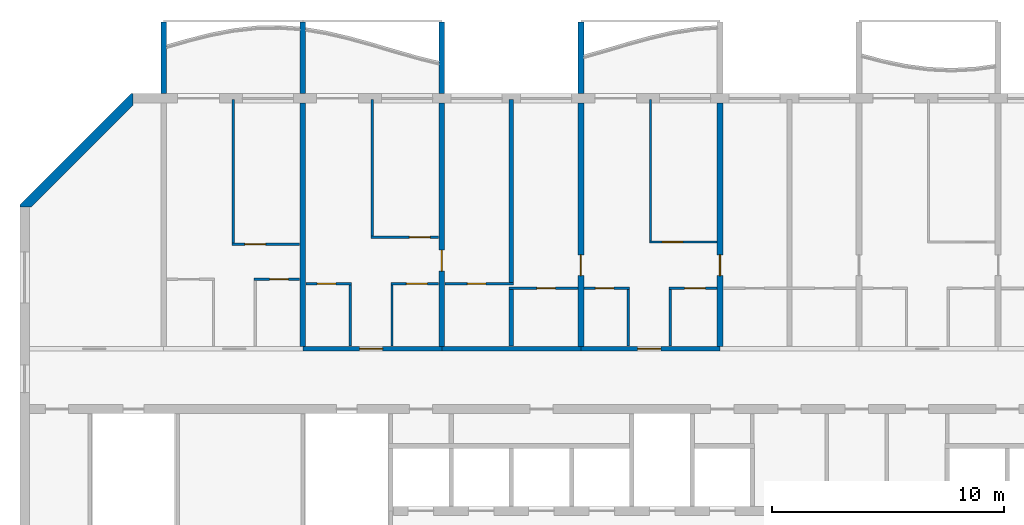
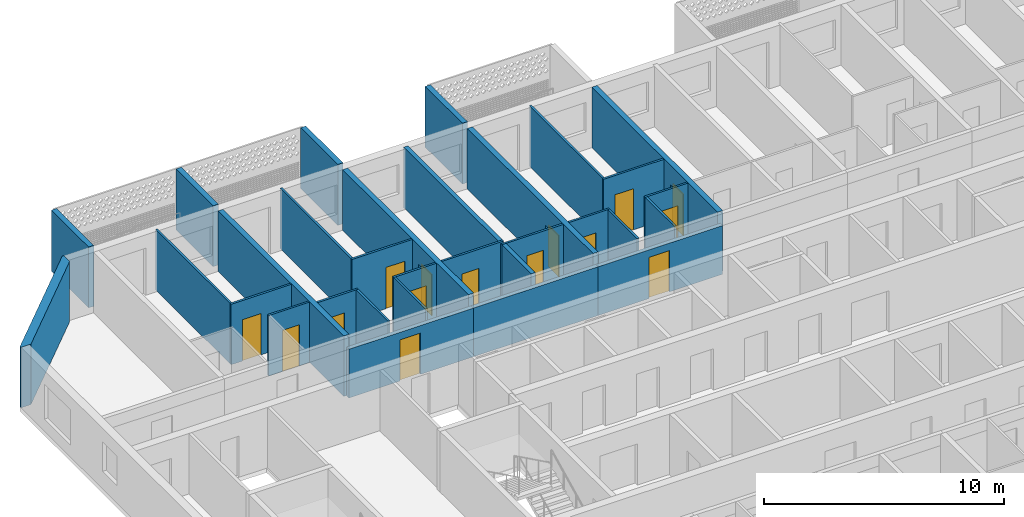
# One storey, part 8 of 27: 31 walls, 15 doors, 15 openings.
"""IFC4 building model written with IfcOpenShell, lengths in metres."""

from ifc_helpers import new_model, si_unit, direction, frame, frame_2d, origin, place, context, subcontext, project, spatial, polyline, rectangle, outline, extrude, source, transform, mapped, material, layer, layer_set, type_object, element, fill, save


model = new_model("IFC4")

# Units and contexts
model_context = context("Model", 3, precision=1e-05, world=origin(), true_north=direction((0.0, 1.0)))
body_context = subcontext(model_context, "Body", "Model", "MODEL_VIEW")
ifc_project = project(units=[si_unit("LENGTHUNIT", "METRE"), si_unit("AREAUNIT", "SQUARE_METRE"), si_unit("VOLUMEUNIT", "CUBIC_METRE"), si_unit("PLANEANGLEUNIT", "RADIAN"), si_unit("MASSUNIT", "GRAM", prefix="KILO")], contexts=[model_context])

# Site, building, storey
site_placement = place(None, origin())
site = spatial("IfcSite", under=ifc_project, at=site_placement, CompositionType="ELEMENT")
building_placement = place(site_placement, origin())
building = spatial("IfcBuilding", under=site, at=building_placement, Name="Poui Terraces", CompositionType="ELEMENT")
storey_placement = place(building_placement, frame((0.0, 0.0, 198.300048828125)))
storey = spatial("IfcBuildingStorey", under=building, at=storey_placement, Name="L55", CompositionType="ELEMENT", Elevation=198.300048828125)

# Wall, opening, door
ifc_material_1 = material(Name="Concrete 50 MPa", Category="concrete")
ifc_layer_1 = layer(ifc_material_1, 0.199951171875)
ifc_layer_set_1 = layer_set([ifc_layer_1], Name="Concrete 50 MPa")
wall_type_1 = type_object("IfcWallType", Name="CORRIDOR WALL 200 50MPa", PredefinedType="SHEAR", material=ifc_layer_set_1)
wall_1_placement = place(storey_placement, frame((30.0, 30.39990234375, 0.0), z_axis=(0.0, 0.0, 1.0), x_axis=(1.0, 0.0, 0.0)))
wall_1 = element("IfcWall", 1, at=wall_1_placement, inside=storey, type_object=wall_type_1, Name="CORRIDOR WALL LINE E BAY 3", PredefinedType="SHEAR", context=body_context, shape_type="SweptSolid", body=[
    extrude(rectangle(XDim=6.0, YDim=0.199951171875, at=frame_2d((3.0, 0.0))), origin(), (0.0, 0.0, 1.0), 2.47998046875),
])
opening_1_placement = place(wall_1_placement, frame((2.449951171875, 0.0, 0.0)))
opening_1 = element("IfcOpeningElement", 2, at=opening_1_placement, cuts=wall_1, Name="Opening FD30S", PredefinedType="OPENING", context=body_context, shape_type="SweptSolid", body=[
    extrude(rectangle(XDim=1.0, YDim=2.10009765625, at=frame_2d((0.5, 1.050048828125))), frame((0.0, 0.10986328125, 0.0), z_axis=(0.0, -1.0, 0.0), x_axis=(1.0, 0.0, 0.0)), (0.0, 0.0, 1.0), 0.219970703125),
])
ifc_material_2 = material(Name="Steel fire door", Category="steel")
door_type_1 = type_object("IfcDoorType", Name="FLAT ENTRANCE DOOR 1000 X 2100", OperationType="NOTDEFINED", PredefinedType="DOOR", material=ifc_material_2)
door_1_placement = place(opening_1_placement, origin())
door_1 = element("IfcDoor", 3, at=door_1_placement, inside=storey, type_object=door_type_1, Name="FLAT ENTRANCE DOOR 034", OperationType="SINGLE_SWING_LEFT", OverallHeight=2.10009765625, OverallWidth=1.0, PredefinedType="DOOR", context=body_context, shape_type="SweptSolid", body=[
    extrude(rectangle(XDim=1.0, YDim=2.10009765625, at=frame_2d((0.5, 1.050048828125))), frame((0.0, 0.02490234375, 0.0), z_axis=(0.0, -1.0, 0.0), x_axis=(1.0, 0.0, 0.0)), (0.0, 0.0, 1.0), 0.050048828125),
])
fill(opening_1, door_1)

# Wall
wall_2_placement = place(storey_placement, frame((36.0, 30.39990234375, 0.0), z_axis=(0.0, 0.0, 1.0), x_axis=(1.0, 0.0, 0.0)))
element("IfcWall", 4, at=wall_2_placement, inside=storey, type_object=wall_type_1, Name="CORRIDOR WALL LINE E BAY 4", PredefinedType="SHEAR", context=body_context, shape_type="SweptSolid", body=[
    extrude(rectangle(XDim=6.0, YDim=0.199951171875, at=frame_2d((3.0, 0.0))), origin(), (0.0, 0.0, 1.0), 2.47998046875),
])

# Wall, opening, door
wall_3_placement = place(storey_placement, frame((42.0, 30.39990234375, 0.0), z_axis=(0.0, 0.0, 1.0), x_axis=(1.0, 0.0, 0.0)))
wall_3 = element("IfcWall", 5, at=wall_3_placement, inside=storey, type_object=wall_type_1, Name="CORRIDOR WALL LINE E BAY 5", PredefinedType="SHEAR", context=body_context, shape_type="SweptSolid", body=[
    extrude(rectangle(XDim=6.0, YDim=0.199951171875, at=frame_2d((3.0, 0.0))), origin(), (0.0, 0.0, 1.0), 2.47998046875),
])
opening_2_placement = place(wall_3_placement, frame((2.449951171875, 0.0, 0.0)))
opening_2 = element("IfcOpeningElement", 6, at=opening_2_placement, cuts=wall_3, Name="Opening FD30S", PredefinedType="OPENING", context=body_context, shape_type="SweptSolid", body=[
    extrude(rectangle(XDim=1.0, YDim=2.10009765625, at=frame_2d((0.5, 1.050048828125))), frame((0.0, 0.10986328125, 0.0), z_axis=(0.0, -1.0, 0.0), x_axis=(1.0, 0.0, 0.0)), (0.0, 0.0, 1.0), 0.219970703125),
])
door_2_placement = place(opening_2_placement, origin())
door_2 = element("IfcDoor", 7, at=door_2_placement, inside=storey, type_object=door_type_1, Name="FLAT ENTRANCE DOOR 042", OperationType="SINGLE_SWING_LEFT", OverallHeight=2.10009765625, OverallWidth=1.0, PredefinedType="DOOR", context=body_context, shape_type="SweptSolid", body=[
    extrude(rectangle(XDim=1.0, YDim=2.10009765625, at=frame_2d((0.5, 1.050048828125))), frame((0.0, 0.02490234375, 0.0), z_axis=(0.0, -1.0, 0.0), x_axis=(1.0, 0.0, 0.0)), (0.0, 0.0, 1.0), 0.050048828125),
])
fill(opening_2, door_2)

# Wall
ifc_layer_2 = layer(ifc_material_1, 0.25)
ifc_layer_set_2 = layer_set([ifc_layer_2], Name="Concrete 50 MPa")
wall_type_2 = type_object("IfcWallType", Name="CROSS WALL 250 50MPa", PredefinedType="SHEAR", material=ifc_layer_set_2)
wall_4_placement = place(storey_placement, frame((30.0, 30.5, 0.0), z_axis=(0.0, 0.0, 1.0), x_axis=(0.0, 1.0, 0.0)))
element("IfcWall", 8, at=wall_4_placement, inside=storey, type_object=wall_type_2, Name="CROSS WALL LINE 6 NORTH", PredefinedType="SHEAR", context=body_context, shape_type="SweptSolid", body=[
    extrude(rectangle(XDim=10.5, YDim=0.25, at=frame_2d((5.25, 0.0))), origin(), (0.0, 0.0, 1.0), 3.079833984375),
])

# Wall, opening, door
wall_5_placement = place(storey_placement, frame((36.0, 30.5, 0.0), z_axis=(0.0, 0.0, 1.0), x_axis=(0.0, 1.0, 0.0)))
wall_5 = element("IfcWall", 9, at=wall_5_placement, inside=storey, type_object=wall_type_2, Name="CROSS WALL LINE 7 NORTH", PredefinedType="SHEAR", context=body_context, shape_type="SweptSolid", body=[
    extrude(rectangle(XDim=10.5, YDim=0.25, at=frame_2d((5.25, 0.0))), origin(), (0.0, 0.0, 1.0), 3.079833984375),
])
opening_3_placement = place(wall_5_placement, frame((3.25, 0.0, 0.0)))
opening_3 = element("IfcOpeningElement", 10, at=opening_3_placement, cuts=wall_5, Name="Opening D90", PredefinedType="OPENING", context=body_context, shape_type="SweptSolid", body=[
    extrude(rectangle(XDim=0.89990234375, YDim=2.10009765625, at=frame_2d((0.449951171875, 1.050048828125))), frame((0.0, 0.135009765625, 0.0), z_axis=(0.0, -1.0, 0.0), x_axis=(1.0, 0.0, 0.0)), (0.0, 0.0, 1.0), 0.27001953125),
])
ifc_material_3 = material(Name="Solid core timber door", Category="wood")
door_type_2 = type_object("IfcDoorType", Name="INTERNAL DOOR 900 X 2100", OperationType="NOTDEFINED", PredefinedType="DOOR", material=ifc_material_3)
door_3_placement = place(opening_3_placement, frame((0.89990234375, 0.0, 0.0), z_axis=(0.0, 0.0, 1.0), x_axis=(-1.0, 0.0, 0.0)))
door_3 = element("IfcDoor", 11, at=door_3_placement, inside=storey, type_object=door_type_2, Name="INTERNAL DOOR 037", OperationType="SINGLE_SWING_RIGHT", OverallHeight=2.10009765625, OverallWidth=0.89990234375, PredefinedType="DOOR", context=body_context, shape_type="SweptSolid", body=[
    extrude(rectangle(XDim=0.89990234375, YDim=2.10009765625, at=frame_2d((0.449951171875, 1.050048828125))), frame((0.0, 0.02490234375, 0.0), z_axis=(0.0, -1.0, 0.0), x_axis=(1.0, 0.0, 0.0)), (0.0, 0.0, 1.0), 0.050048828125),
])
fill(opening_3, door_3)

wall_6_placement = place(storey_placement, frame((42.0, 30.5, 0.0), z_axis=(0.0, 0.0, 1.0), x_axis=(0.0, 1.0, 0.0)))
wall_6 = element("IfcWall", 12, at=wall_6_placement, inside=storey, type_object=wall_type_2, Name="CROSS WALL LINE 8 NORTH", PredefinedType="SHEAR", context=body_context, shape_type="SweptSolid", body=[
    extrude(rectangle(XDim=10.5, YDim=0.25, at=frame_2d((5.25, 0.0))), origin(), (0.0, 0.0, 1.0), 3.079833984375),
])
opening_4_placement = place(wall_6_placement, frame((3.050048828125, 0.0, 0.0)))
opening_4 = element("IfcOpeningElement", 13, at=opening_4_placement, cuts=wall_6, Name="Opening D90", PredefinedType="OPENING", context=body_context, shape_type="SweptSolid", body=[
    extrude(rectangle(XDim=0.89990234375, YDim=2.10009765625, at=frame_2d((0.449951171875, 1.050048828125))), frame((0.0, 0.135009765625, 0.0), z_axis=(0.0, -1.0, 0.0), x_axis=(1.0, 0.0, 0.0)), (0.0, 0.0, 1.0), 0.27001953125),
])
door_4_placement = place(opening_4_placement, origin())
door_4 = element("IfcDoor", 14, at=door_4_placement, inside=storey, type_object=door_type_2, Name="INTERNAL DOOR 040", OperationType="SINGLE_SWING_LEFT", OverallHeight=2.10009765625, OverallWidth=0.89990234375, PredefinedType="DOOR", context=body_context, shape_type="SweptSolid", body=[
    extrude(rectangle(XDim=0.89990234375, YDim=2.10009765625, at=frame_2d((0.449951171875, 1.050048828125))), frame((0.0, 0.02490234375, 0.0), z_axis=(0.0, -1.0, 0.0), x_axis=(1.0, 0.0, 0.0)), (0.0, 0.0, 1.0), 0.050048828125),
])
fill(opening_4, door_4)

wall_7_placement = place(storey_placement, frame((48.0, 30.5, 0.0), z_axis=(0.0, 0.0, 1.0), x_axis=(0.0, 1.0, 0.0)))
wall_7 = element("IfcWall", 15, at=wall_7_placement, inside=storey, type_object=wall_type_2, Name="CROSS WALL LINE 9 NORTH", PredefinedType="SHEAR", context=body_context, shape_type="SweptSolid", body=[
    extrude(rectangle(XDim=10.5, YDim=0.25, at=frame_2d((5.25, 0.0))), origin(), (0.0, 0.0, 1.0), 3.079833984375),
])
opening_5_placement = place(wall_7_placement, frame((3.050048828125, 0.0, 0.0)))
opening_5 = element("IfcOpeningElement", 16, at=opening_5_placement, cuts=wall_7, Name="Opening D90", PredefinedType="OPENING", context=body_context, shape_type="SweptSolid", body=[
    extrude(rectangle(XDim=0.89990234375, YDim=2.10009765625, at=frame_2d((0.449951171875, 1.050048828125))), frame((0.0, 0.135009765625, 0.0), z_axis=(0.0, -1.0, 0.0), x_axis=(1.0, 0.0, 0.0)), (0.0, 0.0, 1.0), 0.27001953125),
])
door_5_placement = place(opening_5_placement, frame((0.89990234375, 0.0, 0.0), z_axis=(0.0, 0.0, 1.0), x_axis=(-1.0, 0.0, 0.0)))
door_5 = element("IfcDoor", 17, at=door_5_placement, inside=storey, type_object=door_type_2, Name="INTERNAL DOOR 045", OperationType="SINGLE_SWING_RIGHT", OverallHeight=2.10009765625, OverallWidth=0.89990234375, PredefinedType="DOOR", context=body_context, shape_type="SweptSolid", body=[
    extrude(rectangle(XDim=0.89990234375, YDim=2.10009765625, at=frame_2d((0.449951171875, 1.050048828125))), frame((0.0, 0.02490234375, 0.0), z_axis=(0.0, -1.0, 0.0), x_axis=(1.0, 0.0, 0.0)), (0.0, 0.0, 1.0), 0.050048828125),
])
fill(opening_5, door_5)

ifc_material_4 = material(Name="Plasterboard partition")
ifc_layer_3 = layer(ifc_material_4, 0.10009765625)
ifc_layer_set_3 = layer_set([ifc_layer_3], Name="Plasterboard partition")
wall_type_3 = type_object("IfcWallType", Name="FLAT PARTITION 100", PredefinedType="PARTITIONING", material=ifc_layer_set_3)
wall_8_placement = place(storey_placement, frame((38.89990234375, 33.0, 0.0), z_axis=(0.0, 0.0, 1.0), x_axis=(1.0, 0.0, 0.0)))
wall_8 = element("IfcWall", 18, at=wall_8_placement, inside=storey, type_object=wall_type_3, Name="FLAT PARTITION 100", PredefinedType="PARTITIONING", context=body_context, shape_type="SweptSolid", body=[
    extrude(rectangle(XDim=2.965087890625, YDim=0.10009765625, at=frame_2d((1.482421875, 0.0))), origin(), (0.0, 0.0, 1.0), 3.079833984375),
])
opening_6_placement = place(wall_8_placement, frame((1.199951171875, 0.0, 0.0)))
opening_6 = element("IfcOpeningElement", 19, at=opening_6_placement, cuts=wall_8, Name="Opening D80", PredefinedType="OPENING", context=body_context, shape_type="SweptSolid", body=[
    extrude(rectangle(XDim=0.800048828125, YDim=2.10009765625, at=frame_2d((0.39990234375, 1.050048828125))), frame((0.0, 0.06005859375, 0.0), z_axis=(0.0, -1.0, 0.0), x_axis=(1.0, 0.0, 0.0)), (0.0, 0.0, 1.0), 0.1201171875),
])
door_type_3 = type_object("IfcDoorType", Name="BATHROOM, LAUNDRY AND STORE DOOR 800 X 2100", OperationType="NOTDEFINED", PredefinedType="DOOR", material=ifc_material_3)
door_6_placement = place(opening_6_placement, frame((0.800048828125, 0.0, 0.0), z_axis=(0.0, 0.0, 1.0), x_axis=(-1.0, 0.0, 0.0)))
door_6 = element("IfcDoor", 20, at=door_6_placement, inside=storey, type_object=door_type_3, Name="BATHROOM, LAUNDRY AND STORE DOOR 038", OperationType="SINGLE_SWING_LEFT", OverallHeight=2.10009765625, OverallWidth=0.800048828125, PredefinedType="DOOR", context=body_context, shape_type="SweptSolid", body=[
    extrude(rectangle(XDim=0.800048828125, YDim=2.10009765625, at=frame_2d((0.39990234375, 1.050048828125))), frame((0.0, 0.02490234375, 0.0), z_axis=(0.0, -1.0, 0.0), x_axis=(1.0, 0.0, 0.0)), (0.0, 0.0, 1.0), 0.050048828125),
])
fill(opening_6, door_6)

wall_9_placement = place(storey_placement, frame((42.135009765625, 33.0, 0.0), z_axis=(0.0, 0.0, 1.0), x_axis=(1.0, 0.0, 0.0)))
wall_9 = element("IfcWall", 21, at=wall_9_placement, inside=storey, type_object=wall_type_3, Name="FLAT PARTITION 100", PredefinedType="PARTITIONING", context=body_context, shape_type="SweptSolid", body=[
    extrude(rectangle(XDim=1.965087890625, YDim=0.10009765625, at=frame_2d((0.982421875, 0.0))), origin(), (0.0, 0.0, 1.0), 3.079833984375),
])
opening_7_placement = place(wall_9_placement, frame((0.489990234375, 0.0, 0.0)))
opening_7 = element("IfcOpeningElement", 22, at=opening_7_placement, cuts=wall_9, Name="Opening D80", PredefinedType="OPENING", context=body_context, shape_type="SweptSolid", body=[
    extrude(rectangle(XDim=0.800048828125, YDim=2.10009765625, at=frame_2d((0.39990234375, 1.050048828125))), frame((0.0, 0.06005859375, 0.0), z_axis=(0.0, -1.0, 0.0), x_axis=(1.0, 0.0, 0.0)), (0.0, 0.0, 1.0), 0.1201171875),
])
door_7_placement = place(opening_7_placement, frame((0.800048828125, 0.0, 0.0), z_axis=(0.0, 0.0, 1.0), x_axis=(-1.0, 0.0, 0.0)))
door_7 = element("IfcDoor", 23, at=door_7_placement, inside=storey, type_object=door_type_3, Name="BATHROOM, LAUNDRY AND STORE DOOR 041", OperationType="SINGLE_SWING_LEFT", OverallHeight=2.10009765625, OverallWidth=0.800048828125, PredefinedType="DOOR", context=body_context, shape_type="SweptSolid", body=[
    extrude(rectangle(XDim=0.800048828125, YDim=2.10009765625, at=frame_2d((0.39990234375, 1.050048828125))), frame((0.0, 0.02490234375, 0.0), z_axis=(0.0, -1.0, 0.0), x_axis=(1.0, 0.0, 0.0)), (0.0, 0.0, 1.0), 0.050048828125),
])
fill(opening_7, door_7)

wall_10_placement = place(storey_placement, frame((45.800048828125, 33.0, 0.0), z_axis=(0.0, 0.0, 1.0), x_axis=(1.0, 0.0, 0.0)))
wall_10 = element("IfcWall", 24, at=wall_10_placement, inside=storey, type_object=wall_type_3, Name="FLAT PARTITION 100", PredefinedType="PARTITIONING", context=body_context, shape_type="SweptSolid", body=[
    extrude(rectangle(XDim=2.06494140625, YDim=0.10009765625, at=frame_2d((1.032470703125, 0.0))), origin(), (0.0, 0.0, 1.0), 3.079833984375),
])
opening_8_placement = place(wall_10_placement, frame((0.675048828125, 0.0, 0.0)))
opening_8 = element("IfcOpeningElement", 25, at=opening_8_placement, cuts=wall_10, Name="Opening D90", PredefinedType="OPENING", context=body_context, shape_type="SweptSolid", body=[
    extrude(rectangle(XDim=0.89990234375, YDim=2.10009765625, at=frame_2d((0.449951171875, 1.050048828125))), frame((0.0, 0.06005859375, 0.0), z_axis=(0.0, -1.0, 0.0), x_axis=(1.0, 0.0, 0.0)), (0.0, 0.0, 1.0), 0.1201171875),
])
door_8_placement = place(opening_8_placement, frame((0.89990234375, 0.0, 0.0), z_axis=(0.0, 0.0, 1.0), x_axis=(-1.0, 0.0, 0.0)))
door_8 = element("IfcDoor", 26, at=door_8_placement, inside=storey, type_object=door_type_2, Name="INTERNAL DOOR 044", OperationType="SINGLE_SWING_RIGHT", OverallHeight=2.10009765625, OverallWidth=0.89990234375, PredefinedType="DOOR", context=body_context, shape_type="SweptSolid", body=[
    extrude(rectangle(XDim=0.89990234375, YDim=2.10009765625, at=frame_2d((0.449951171875, 1.050048828125))), frame((0.0, 0.02490234375, 0.0), z_axis=(0.0, -1.0, 0.0), x_axis=(1.0, 0.0, 0.0)), (0.0, 0.0, 1.0), 0.050048828125),
])
fill(opening_8, door_8)

wall_11_placement = place(storey_placement, frame((30.135009765625, 33.199951171875, 0.0), z_axis=(0.0, 0.0, 1.0), x_axis=(1.0, 0.0, 0.0)))
wall_11 = element("IfcWall", 27, at=wall_11_placement, inside=storey, type_object=wall_type_3, Name="FLAT PARTITION 100", PredefinedType="PARTITIONING", context=body_context, shape_type="SweptSolid", body=[
    extrude(rectangle(XDim=1.965087890625, YDim=0.10009765625, at=frame_2d((0.982421875, 0.0))), origin(), (0.0, 0.0, 1.0), 3.079833984375),
])
opening_9_placement = place(wall_11_placement, frame((0.489990234375, 0.0, 0.0)))
opening_9 = element("IfcOpeningElement", 28, at=opening_9_placement, cuts=wall_11, Name="Opening D80", PredefinedType="OPENING", context=body_context, shape_type="SweptSolid", body=[
    extrude(rectangle(XDim=0.800048828125, YDim=2.10009765625, at=frame_2d((0.39990234375, 1.050048828125))), frame((0.0, 0.06005859375, 0.0), z_axis=(0.0, -1.0, 0.0), x_axis=(1.0, 0.0, 0.0)), (0.0, 0.0, 1.0), 0.1201171875),
])
door_9_placement = place(opening_9_placement, frame((0.800048828125, 0.0, 0.0), z_axis=(0.0, 0.0, 1.0), x_axis=(-1.0, 0.0, 0.0)))
door_9 = element("IfcDoor", 29, at=door_9_placement, inside=storey, type_object=door_type_3, Name="BATHROOM, LAUNDRY AND STORE DOOR 033", OperationType="SINGLE_SWING_RIGHT", OverallHeight=2.10009765625, OverallWidth=0.800048828125, PredefinedType="DOOR", context=body_context, shape_type="SweptSolid", body=[
    extrude(rectangle(XDim=0.800048828125, YDim=2.10009765625, at=frame_2d((0.39990234375, 1.050048828125))), frame((0.0, 0.02490234375, 0.0), z_axis=(0.0, -1.0, 0.0), x_axis=(1.0, 0.0, 0.0)), (0.0, 0.0, 1.0), 0.050048828125),
])
fill(opening_9, door_9)

wall_12_placement = place(storey_placement, frame((33.800048828125, 33.199951171875, 0.0), z_axis=(0.0, 0.0, 1.0), x_axis=(1.0, 0.0, 0.0)))
wall_12 = element("IfcWall", 30, at=wall_12_placement, inside=storey, type_object=wall_type_3, Name="FLAT PARTITION 100", PredefinedType="PARTITIONING", context=body_context, shape_type="SweptSolid", body=[
    extrude(rectangle(XDim=2.06494140625, YDim=0.10009765625, at=frame_2d((1.032470703125, 0.0))), origin(), (0.0, 0.0, 1.0), 3.079833984375),
])
opening_10_placement = place(wall_12_placement, frame((0.675048828125, 0.0, 0.0)))
opening_10 = element("IfcOpeningElement", 31, at=opening_10_placement, cuts=wall_12, Name="Opening D90", PredefinedType="OPENING", context=body_context, shape_type="SweptSolid", body=[
    extrude(rectangle(XDim=0.89990234375, YDim=2.10009765625, at=frame_2d((0.449951171875, 1.050048828125))), frame((0.0, 0.06005859375, 0.0), z_axis=(0.0, -1.0, 0.0), x_axis=(1.0, 0.0, 0.0)), (0.0, 0.0, 1.0), 0.1201171875),
])
door_10_placement = place(opening_10_placement, frame((0.89990234375, 0.0, 0.0), z_axis=(0.0, 0.0, 1.0), x_axis=(-1.0, 0.0, 0.0)))
door_10 = element("IfcDoor", 32, at=door_10_placement, inside=storey, type_object=door_type_2, Name="INTERNAL DOOR 035", OperationType="SINGLE_SWING_LEFT", OverallHeight=2.10009765625, OverallWidth=0.89990234375, PredefinedType="DOOR", context=body_context, shape_type="SweptSolid", body=[
    extrude(rectangle(XDim=0.89990234375, YDim=2.10009765625, at=frame_2d((0.449951171875, 1.050048828125))), frame((0.0, 0.02490234375, 0.0), z_axis=(0.0, -1.0, 0.0), x_axis=(1.0, 0.0, 0.0)), (0.0, 0.0, 1.0), 0.050048828125),
])
fill(opening_10, door_10)

wall_13_placement = place(storey_placement, frame((36.135009765625, 33.199951171875, 0.0), z_axis=(0.0, 0.0, 1.0), x_axis=(1.0, 0.0, 0.0)))
wall_13 = element("IfcWall", 33, at=wall_13_placement, inside=storey, type_object=wall_type_3, Name="FLAT PARTITION 100", PredefinedType="PARTITIONING", context=body_context, shape_type="SweptSolid", body=[
    extrude(rectangle(XDim=2.965087890625, YDim=0.10009765625, at=frame_2d((1.482421875, 0.0))), origin(), (0.0, 0.0, 1.0), 3.079833984375),
])
opening_11_placement = place(wall_13_placement, frame((0.965087890625, 0.0, 0.0)))
opening_11 = element("IfcOpeningElement", 34, at=opening_11_placement, cuts=wall_13, Name="Opening D80", PredefinedType="OPENING", context=body_context, shape_type="SweptSolid", body=[
    extrude(rectangle(XDim=0.800048828125, YDim=2.10009765625, at=frame_2d((0.39990234375, 1.050048828125))), frame((0.0, 0.06005859375, 0.0), z_axis=(0.0, -1.0, 0.0), x_axis=(1.0, 0.0, 0.0)), (0.0, 0.0, 1.0), 0.1201171875),
])
door_11_placement = place(opening_11_placement, frame((0.800048828125, 0.0, 0.0), z_axis=(0.0, 0.0, 1.0), x_axis=(-1.0, 0.0, 0.0)))
door_11 = element("IfcDoor", 35, at=door_11_placement, inside=storey, type_object=door_type_3, Name="BATHROOM, LAUNDRY AND STORE DOOR 032", OperationType="SINGLE_SWING_RIGHT", OverallHeight=2.10009765625, OverallWidth=0.800048828125, PredefinedType="DOOR", context=body_context, shape_type="SweptSolid", body=[
    extrude(rectangle(XDim=0.800048828125, YDim=2.10009765625, at=frame_2d((0.39990234375, 1.050048828125))), frame((0.0, 0.02490234375, 0.0), z_axis=(0.0, -1.0, 0.0), x_axis=(1.0, 0.0, 0.0)), (0.0, 0.0, 1.0), 0.050048828125),
])
fill(opening_11, door_11)

wall_14_placement = place(storey_placement, frame((27.89990234375, 33.39990234375, 0.0), z_axis=(0.0, 0.0, 1.0), x_axis=(1.0, 0.0, 0.0)))
wall_14 = element("IfcWall", 36, at=wall_14_placement, inside=storey, type_object=wall_type_3, Name="FLAT PARTITION 100", PredefinedType="PARTITIONING", context=body_context, shape_type="SweptSolid", body=[
    extrude(rectangle(XDim=1.965087890625, YDim=0.10009765625, at=frame_2d((0.982421875, 0.0))), origin(), (0.0, 0.0, 1.0), 3.079833984375),
])
opening_12_placement = place(wall_14_placement, frame((0.675048828125, 0.0, 0.0)))
opening_12 = element("IfcOpeningElement", 37, at=opening_12_placement, cuts=wall_14, Name="Opening D80", PredefinedType="OPENING", context=body_context, shape_type="SweptSolid", body=[
    extrude(rectangle(XDim=0.800048828125, YDim=2.10009765625, at=frame_2d((0.39990234375, 1.050048828125))), frame((0.0, 0.06005859375, 0.0), z_axis=(0.0, -1.0, 0.0), x_axis=(1.0, 0.0, 0.0)), (0.0, 0.0, 1.0), 0.1201171875),
])
door_12_placement = place(opening_12_placement, frame((0.800048828125, 0.0, 0.0), z_axis=(0.0, 0.0, 1.0), x_axis=(-1.0, 0.0, 0.0)))
door_12 = element("IfcDoor", 38, at=door_12_placement, inside=storey, type_object=door_type_3, Name="BATHROOM, LAUNDRY AND STORE DOOR 031", OperationType="SINGLE_SWING_RIGHT", OverallHeight=2.10009765625, OverallWidth=0.800048828125, PredefinedType="DOOR", context=body_context, shape_type="SweptSolid", body=[
    extrude(rectangle(XDim=0.800048828125, YDim=2.10009765625, at=frame_2d((0.39990234375, 1.050048828125))), frame((0.0, 0.02490234375, 0.0), z_axis=(0.0, -1.0, 0.0), x_axis=(1.0, 0.0, 0.0)), (0.0, 0.0, 1.0), 0.050048828125),
])
fill(opening_12, door_12)

wall_15_placement = place(storey_placement, frame((26.949951171875, 34.89990234375, 0.0), z_axis=(0.0, 0.0, 1.0), x_axis=(1.0, 0.0, 0.0)))
wall_15 = element("IfcWall", 39, at=wall_15_placement, inside=storey, type_object=wall_type_3, Name="FLAT PARTITION 100", PredefinedType="PARTITIONING", context=body_context, shape_type="SweptSolid", body=[
    extrude(rectangle(XDim=2.9150390625, YDim=0.10009765625, at=frame_2d((1.45751953125, 0.0))), origin(), (0.0, 0.0, 1.0), 3.079833984375),
])
opening_13_placement = place(wall_15_placement, frame((0.550048828125, 0.0, 0.0)))
opening_13 = element("IfcOpeningElement", 40, at=opening_13_placement, cuts=wall_15, Name="Opening D90", PredefinedType="OPENING", context=body_context, shape_type="SweptSolid", body=[
    extrude(rectangle(XDim=0.89990234375, YDim=2.10009765625, at=frame_2d((0.449951171875, 1.050048828125))), frame((0.0, 0.06005859375, 0.0), z_axis=(0.0, -1.0, 0.0), x_axis=(1.0, 0.0, 0.0)), (0.0, 0.0, 1.0), 0.1201171875),
])
door_13_placement = place(opening_13_placement, frame((0.89990234375, 0.0, 0.0), z_axis=(0.0, 0.0, 1.0), x_axis=(-1.0, 0.0, 0.0)))
door_13 = element("IfcDoor", 41, at=door_13_placement, inside=storey, type_object=door_type_2, Name="INTERNAL DOOR 030", OperationType="SINGLE_SWING_LEFT", OverallHeight=2.10009765625, OverallWidth=0.89990234375, PredefinedType="DOOR", context=body_context, shape_type="SweptSolid", body=[
    extrude(rectangle(XDim=0.89990234375, YDim=2.10009765625, at=frame_2d((0.449951171875, 1.050048828125))), frame((0.0, 0.02490234375, 0.0), z_axis=(0.0, -1.0, 0.0), x_axis=(1.0, 0.0, 0.0)), (0.0, 0.0, 1.0), 0.050048828125),
])
fill(opening_13, door_13)

wall_16_placement = place(storey_placement, frame((44.949951171875, 35.0, 0.0), z_axis=(0.0, 0.0, 1.0), x_axis=(1.0, 0.0, 0.0)))
wall_16 = element("IfcWall", 42, at=wall_16_placement, inside=storey, type_object=wall_type_3, Name="FLAT PARTITION 100", PredefinedType="PARTITIONING", context=body_context, shape_type="SweptSolid", body=[
    extrude(rectangle(XDim=2.9150390625, YDim=0.10009765625, at=frame_2d((1.45751953125, 0.0))), origin(), (0.0, 0.0, 1.0), 3.079833984375),
])
opening_14_placement = place(wall_16_placement, frame((0.550048828125, 0.0, 0.0)))
opening_14 = element("IfcOpeningElement", 43, at=opening_14_placement, cuts=wall_16, Name="Opening D90", PredefinedType="OPENING", context=body_context, shape_type="SweptSolid", body=[
    extrude(rectangle(XDim=0.89990234375, YDim=2.10009765625, at=frame_2d((0.449951171875, 1.050048828125))), frame((0.0, 0.06005859375, 0.0), z_axis=(0.0, -1.0, 0.0), x_axis=(1.0, 0.0, 0.0)), (0.0, 0.0, 1.0), 0.1201171875),
])
door_14_placement = place(opening_14_placement, frame((0.89990234375, 0.0, 0.0), z_axis=(0.0, 0.0, 1.0), x_axis=(-1.0, 0.0, 0.0)))
door_14 = element("IfcDoor", 44, at=door_14_placement, inside=storey, type_object=door_type_2, Name="INTERNAL DOOR 043", OperationType="SINGLE_SWING_LEFT", OverallHeight=2.10009765625, OverallWidth=0.89990234375, PredefinedType="DOOR", context=body_context, shape_type="SweptSolid", body=[
    extrude(rectangle(XDim=0.89990234375, YDim=2.10009765625, at=frame_2d((0.449951171875, 1.050048828125))), frame((0.0, 0.02490234375, 0.0), z_axis=(0.0, -1.0, 0.0), x_axis=(1.0, 0.0, 0.0)), (0.0, 0.0, 1.0), 0.050048828125),
])
fill(opening_14, door_14)

wall_17_placement = place(storey_placement, frame((32.949951171875, 35.199951171875, 0.0), z_axis=(0.0, 0.0, 1.0), x_axis=(1.0, 0.0, 0.0)))
wall_17 = element("IfcWall", 45, at=wall_17_placement, inside=storey, type_object=wall_type_3, Name="FLAT PARTITION 100", PredefinedType="PARTITIONING", context=body_context, shape_type="SweptSolid", body=[
    extrude(rectangle(XDim=2.9150390625, YDim=0.10009765625, at=frame_2d((1.45751953125, 0.0))), origin(), (0.0, 0.0, 1.0), 3.079833984375),
])
opening_15_placement = place(wall_17_placement, frame((1.64990234375, 0.0, 0.0)))
opening_15 = element("IfcOpeningElement", 46, at=opening_15_placement, cuts=wall_17, Name="Opening D90", PredefinedType="OPENING", context=body_context, shape_type="SweptSolid", body=[
    extrude(rectangle(XDim=0.89990234375, YDim=2.10009765625, at=frame_2d((0.449951171875, 1.050048828125))), frame((0.0, 0.06005859375, 0.0), z_axis=(0.0, -1.0, 0.0), x_axis=(1.0, 0.0, 0.0)), (0.0, 0.0, 1.0), 0.1201171875),
])
door_15_placement = place(opening_15_placement, frame((0.89990234375, 0.0, 0.0), z_axis=(0.0, 0.0, 1.0), x_axis=(-1.0, 0.0, 0.0)))
door_15 = element("IfcDoor", 47, at=door_15_placement, inside=storey, type_object=door_type_2, Name="INTERNAL DOOR 036", OperationType="SINGLE_SWING_RIGHT", OverallHeight=2.10009765625, OverallWidth=0.89990234375, PredefinedType="DOOR", context=body_context, shape_type="SweptSolid", body=[
    extrude(rectangle(XDim=0.89990234375, YDim=2.10009765625, at=frame_2d((0.449951171875, 1.050048828125))), frame((0.0, 0.02490234375, 0.0), z_axis=(0.0, -1.0, 0.0), x_axis=(1.0, 0.0, 0.0)), (0.0, 0.0, 1.0), 0.050048828125),
])
fill(opening_15, door_15)

# Walls
wall_18_placement = place(storey_placement, frame((27.0, 34.949951171875, 0.0), z_axis=(0.0, 0.0, 1.0), x_axis=(0.0, 1.0, 0.0)))
element("IfcWall", 48, at=wall_18_placement, inside=storey, type_object=wall_type_3, Name="FLAT PARTITION 100", PredefinedType="PARTITIONING", context=body_context, shape_type="SweptSolid", body=[
    extrude(rectangle(XDim=6.18994140625, YDim=0.10009765625, at=frame_2d((3.094970703125, 0.0))), origin(), (0.0, 0.0, 1.0), 3.079833984375),
])
wall_19_placement = place(storey_placement, frame((32.050048828125, 30.510009765625, 0.0), z_axis=(0.0, 0.0, 1.0), x_axis=(0.0, 1.0, 0.0)))
element("IfcWall", 49, at=wall_19_placement, inside=storey, type_object=wall_type_3, Name="FLAT PARTITION 100", PredefinedType="PARTITIONING", context=body_context, shape_type="SweptSolid", body=[
    extrude(rectangle(XDim=2.639892578125, YDim=0.10009765625, at=frame_2d((1.31982421875, 0.0))), origin(), (0.0, 0.0, 1.0), 3.079833984375),
])
wall_20_placement = place(storey_placement, frame((33.0, 35.25, 0.0), z_axis=(0.0, 0.0, 1.0), x_axis=(0.0, 1.0, 0.0)))
element("IfcWall", 50, at=wall_20_placement, inside=storey, type_object=wall_type_3, Name="FLAT PARTITION 100", PredefinedType="PARTITIONING", context=body_context, shape_type="SweptSolid", body=[
    extrude(rectangle(XDim=5.889892578125, YDim=0.10009765625, at=frame_2d((2.94482421875, 0.0))), origin(), (0.0, 0.0, 1.0), 3.079833984375),
])
wall_21_placement = place(storey_placement, frame((33.85009765625, 30.510009765625, 0.0), z_axis=(0.0, 0.0, 1.0), x_axis=(0.0, 1.0, 0.0)))
element("IfcWall", 51, at=wall_21_placement, inside=storey, type_object=wall_type_3, Name="FLAT PARTITION 100", PredefinedType="PARTITIONING", context=body_context, shape_type="SweptSolid", body=[
    extrude(rectangle(XDim=2.639892578125, YDim=0.10009765625, at=frame_2d((1.31982421875, 0.0))), origin(), (0.0, 0.0, 1.0), 3.079833984375),
])
wall_22_placement = place(storey_placement, frame((44.050048828125, 30.510009765625, 0.0), z_axis=(0.0, 0.0, 1.0), x_axis=(0.0, 1.0, 0.0)))
element("IfcWall", 52, at=wall_22_placement, inside=storey, type_object=wall_type_3, Name="FLAT PARTITION 100", PredefinedType="PARTITIONING", context=body_context, shape_type="SweptSolid", body=[
    extrude(rectangle(XDim=2.43994140625, YDim=0.10009765625, at=frame_2d((1.219970703125, 0.0))), origin(), (0.0, 0.0, 1.0), 3.079833984375),
])
wall_23_placement = place(storey_placement, frame((45.0, 35.050048828125, 0.0), z_axis=(0.0, 0.0, 1.0), x_axis=(0.0, 1.0, 0.0)))
element("IfcWall", 53, at=wall_23_placement, inside=storey, type_object=wall_type_3, Name="FLAT PARTITION 100", PredefinedType="PARTITIONING", context=body_context, shape_type="SweptSolid", body=[
    extrude(rectangle(XDim=6.08984375, YDim=0.10009765625, at=frame_2d((3.044921875, 0.0))), origin(), (0.0, 0.0, 1.0), 3.079833984375),
])
wall_24_placement = place(storey_placement, frame((45.85009765625, 30.510009765625, 0.0), z_axis=(0.0, 0.0, 1.0), x_axis=(0.0, 1.0, 0.0)))
element("IfcWall", 54, at=wall_24_placement, inside=storey, type_object=wall_type_3, Name="FLAT PARTITION 100", PredefinedType="PARTITIONING", context=body_context, shape_type="SweptSolid", body=[
    extrude(rectangle(XDim=2.43994140625, YDim=0.10009765625, at=frame_2d((1.219970703125, 0.0))), origin(), (0.0, 0.0, 1.0), 3.079833984375),
])
ifc_material_5 = material(Name="Fire-rated masonry wall", Category="masonry")
ifc_layer_4 = layer(ifc_material_5, 0.199951171875)
ifc_layer_set_4 = layer_set([ifc_layer_4], Name="Fire-rated masonry wall")
wall_type_4 = type_object("IfcWallType", Name="FLAT PARTY WALL 200", PredefinedType="PARTITIONING", material=ifc_layer_set_4)
wall_25_placement = place(storey_placement, frame((39.0, 30.510009765625, 0.0), z_axis=(0.0, 0.0, 1.0), x_axis=(0.0, 1.0, 0.0)))
element("IfcWall", 55, at=wall_25_placement, inside=storey, type_object=wall_type_4, Name="FLAT PARTY WALL 200", PredefinedType="PARTITIONING", context=body_context, shape_type="SweptSolid", body=[
    extrude(rectangle(XDim=2.43994140625, YDim=0.199951171875, at=frame_2d((1.219970703125, 0.0))), origin(), (0.0, 0.0, 1.0), 3.079833984375),
])
wall_26_placement = place(storey_placement, frame((39.0, 33.25, 0.0), z_axis=(0.0, 0.0, 1.0), x_axis=(0.0, 1.0, 0.0)))
element("IfcWall", 56, at=wall_26_placement, inside=storey, type_object=wall_type_4, Name="FLAT PARTY WALL 200", PredefinedType="PARTITIONING", context=body_context, shape_type="SweptSolid", body=[
    extrude(rectangle(XDim=7.889892578125, YDim=0.199951171875, at=frame_2d((3.94482421875, 0.0))), origin(), (0.0, 0.0, 1.0), 3.079833984375),
])
ifc_material_6 = material(Name="Precast concrete 40 MPa", Category="concrete")
ifc_layer_5 = layer(ifc_material_6, 0.39990234375)
ifc_layer_set_5 = layer_set([ifc_layer_5], Name="Precast concrete 40 MPa")
wall_type_5 = type_object("IfcWallType", Name="TERRACOTTA CLAD CHAMFER WALL 400", PredefinedType="STANDARD", material=ifc_layer_set_5)
wall_27_placement = place(storey_placement, origin())
element("IfcWall", 57, at=wall_27_placement, inside=storey, type_object=wall_type_5, Name="CHAMFER WALL CH05", PredefinedType="STANDARD", context=body_context, shape_type="SweptSolid", body=[
    extrude(outline(polyline([(22.682861328125, 41.39990234375), (22.60009765625, 41.39990234375), (17.800048828125, 36.60009765625), (17.800048828125, 36.51708984375), (18.28271484375, 36.51708984375), (22.682861328125, 40.917236328125), (22.682861328125, 41.39990234375)])), origin(), (0.0, 0.0, 1.0), 3.079833984375),
])
ifc_layer_6 = layer(ifc_material_6, 0.25)
ifc_layer_set_6 = layer_set([ifc_layer_6], Name="Precast concrete 40 MPa")
wall_type_6 = type_object("IfcWallType", Name="BALCONY FIN 250", PredefinedType="STANDARD", material=ifc_layer_set_6)
shared_shape = source(origin(), body_context, "Body", "SweptSolid", [
    extrude(outline(polyline([(0.0, 0.0), (0.25, 0.0), (0.25, 3.10009765625), (0.0, 3.10009765625), (0.0, 0.0)])), origin(), (0.0, 0.0, 1.0), 3.099853515625),
])
for number, where, name in (
    (58, (23.875, 41.39990234375, 0.0), "BALCONY FIN"),
    (59, (29.875, 41.39990234375, 0.0), "BALCONY FIN"),
    (60, (35.875, 41.39990234375, 0.0), "BALCONY FIN"),
    (61, (41.875, 41.39990234375, 0.0), "BALCONY FIN"),
):
    element("IfcWall", number, at=place(storey_placement, frame(where)), inside=storey, type_object=wall_type_6, Name=name, PredefinedType="STANDARD", context=body_context, shape_type="MappedRepresentation", body=[
        mapped(shared_shape, transform((0.0, 0.0, 0.0))),
    ])

save(model, "model.ifc")
